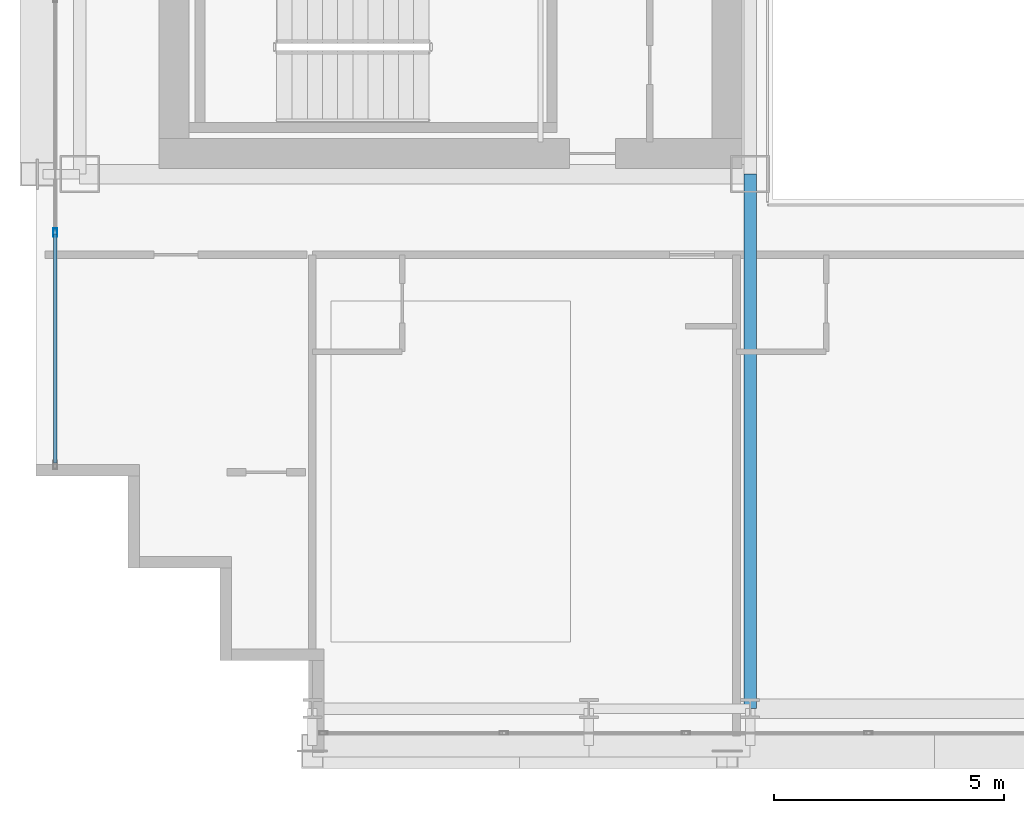
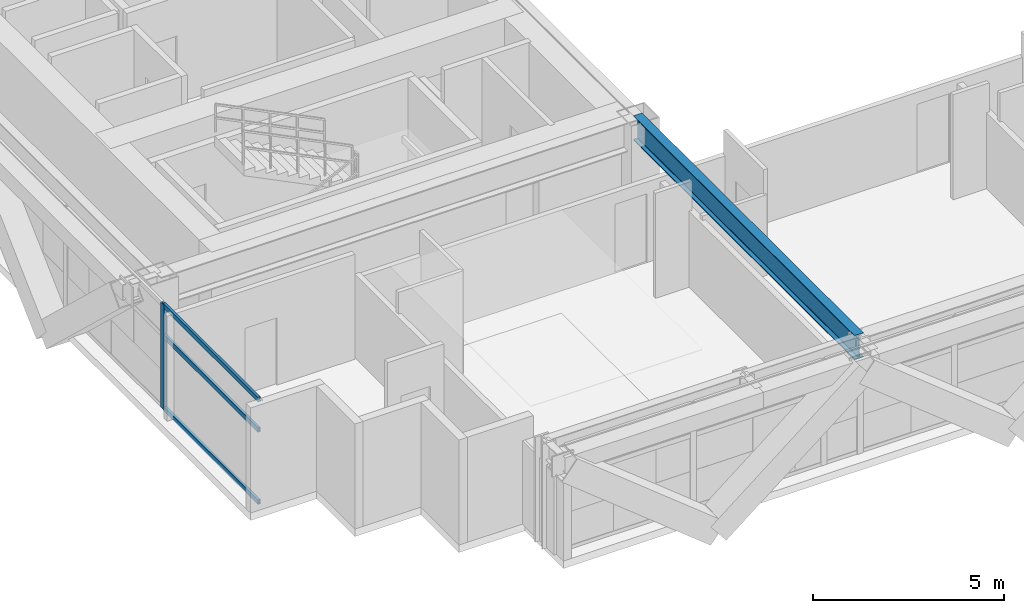
# One storey, part 3 of 35: 4 members, 1 beam, 1 element without a shape of its own.
"""IFC4 building model written with IfcOpenShell, lengths in metres."""

from ifc_helpers import new_model, si_unit, direction, frame, origin, origin_2d, place, context, subcontext, project, spatial, hollow_rectangle, i_section, extrude, source, transform, mapped, material, layer, layer_set, material_profile, profile_set, type_object, element, aggregate, save


model = new_model("IFC4")

# Units and contexts
model_context = context("Model", 3, precision=1e-05, world=origin(), true_north=direction((0.0, 1.0)))
body_context = subcontext(model_context, "Body", "Model", "MODEL_VIEW")
ifc_project = project(units=[si_unit("LENGTHUNIT", "METRE"), si_unit("AREAUNIT", "SQUARE_METRE"), si_unit("VOLUMEUNIT", "CUBIC_METRE"), si_unit("PLANEANGLEUNIT", "RADIAN"), si_unit("MASSUNIT", "GRAM", prefix="KILO")], contexts=[model_context])

# Site, building, storey
site_placement = place(None, origin())
site = spatial("IfcSite", under=ifc_project, at=site_placement, CompositionType="ELEMENT")
building_placement = place(site_placement, origin())
building = spatial("IfcBuilding", under=site, at=building_placement, Name="Ocotamira Hotel", CompositionType="ELEMENT")
storey_placement = place(building_placement, frame((0.0, 0.0, 115.199951171875)))
storey = spatial("IfcBuildingStorey", under=building, at=storey_placement, Name="L28", CompositionType="ELEMENT", Elevation=115.199951171875)

# Beam
ifc_material_1 = material(Name="Steel ASTM A992 Grade 50", Category="steel")
ifc_material_profile_1 = material_profile(ifc_material_1, i_section(OverallWidth=0.26611328125, OverallDepth=0.779052734375, WebThickness=0.0166015625, FlangeThickness=0.030029296875, FilletRadius=0.01806640625, at=origin_2d()), Name="W30X148")
ifc_profile_set_1 = profile_set([ifc_material_profile_1], Name="Steel ASTM A992 Grade 50")
beam_type = type_object("IfcBeamType", Name="BM-GIRD-W30X148", PredefinedType="BEAM", material=ifc_profile_set_1)
shared_shape_1 = source(origin(), body_context, "Body", "SweptSolid", [
    extrude(i_section(OverallWidth=0.26611328125, OverallDepth=0.779052734375, WebThickness=0.0166015625, FlangeThickness=0.030029296875, FilletRadius=0.01806640625, at=origin_2d()), origin(), (0.0, 0.0, 1.0), 11.60009765625),
])
beam_placement = place(storey_placement, frame((23.5, 2.949951171875, 2.970458984375), z_axis=(0.0, 1.0, 0.0), x_axis=(-1.0, 0.0, 0.0)))
element("IfcBeam", 1, at=beam_placement, inside=storey, type_object=beam_type, Name="L28 Beam X23.5 Y2.95-14.55", PredefinedType="BEAM", context=body_context, shape_type="MappedRepresentation", body=[
    mapped(shared_shape_1, transform((0.0, 0.0, 0.0), scale=1.0)),
])

# Curtain wall, members
ifc_material_2 = material(Name="Anodised pale-metal aluminium and solar glass", Category="aluminium")
ifc_layer = layer(ifc_material_2, 0.179931640625)
ifc_layer_set = layer_set([ifc_layer], Name="Anodised pale-metal aluminium and solar glass")
curtain_wall_type = type_object("IfcCurtainWallType", Name="CW-SYS3-Z2", PredefinedType="NOTDEFINED", material=ifc_layer_set)
curtain_wall_placement = place(storey_placement, origin())
curtain_wall = element("IfcCurtainWall", 2, at=curtain_wall_placement, inside=storey, type_object=curtain_wall_type, Name="L28 Curtain Wall CW-3 CW-L28-W", PredefinedType="NOTDEFINED")
ifc_material_3 = material(Name="Anodised pale-metal aluminium 6063-T6", Category="aluminium")
ifc_material_profile_2 = material_profile(ifc_material_3, hollow_rectangle(XDim=0.074951171875, YDim=0.14990234375, WallThickness=0.006103515625, at=origin_2d()), Name="HSS150X75X6")
ifc_profile_set_2 = profile_set([ifc_material_profile_2], Name="Anodised pale-metal aluminium 6063-T6")
member_type_1 = type_object("IfcMemberType", Name="CWT-150X75", PredefinedType="USERDEFINED", material=ifc_profile_set_2)
shared_shape_2 = source(origin(), body_context, "Body", "SweptSolid", [
    extrude(hollow_rectangle(XDim=0.074951171875, YDim=0.14990234375, WallThickness=0.006103515625, at=origin_2d()), origin(), (0.0, 0.0, 1.0), 4.965576171875),
])
member_1_placement = place(storey_placement, frame((8.419921875, 8.280029296875, 0.03759765625), z_axis=(0.0, 1.0, 0.0), x_axis=(-1.0, 0.0, 0.0)))
member_1 = element("IfcMember", 3, at=member_1_placement, type_object=member_type_1, Name="CW-3 transom 1.1", ObjectType="TRANSOM", PredefinedType="USERDEFINED", context=body_context, shape_type="MappedRepresentation", body=[
    mapped(shared_shape_2, transform((0.0, 0.0, 0.0), scale=1.0)),
])
member_2_placement = place(storey_placement, frame((8.419921875, 8.280029296875, 2.35009765625), z_axis=(0.0, 1.0, 0.0), x_axis=(-1.0, 0.0, 0.0)))
member_2 = element("IfcMember", 4, at=member_2_placement, type_object=member_type_1, Name="CW-3 transom 1.2", ObjectType="TRANSOM", PredefinedType="USERDEFINED", context=body_context, shape_type="MappedRepresentation", body=[
    mapped(shared_shape_2, transform((0.0, 0.0, 0.0), scale=1.0)),
])
member_3_placement = place(storey_placement, frame((8.419921875, 8.280029296875, 3.322509765625), z_axis=(0.0, 1.0, 0.0), x_axis=(-1.0, 0.0, 0.0)))
member_3 = element("IfcMember", 5, at=member_3_placement, type_object=member_type_1, Name="CW-3 transom 1.3", ObjectType="TRANSOM", PredefinedType="USERDEFINED", context=body_context, shape_type="MappedRepresentation", body=[
    mapped(shared_shape_2, transform((0.0, 0.0, 0.0), scale=1.0)),
])
ifc_material_profile_3 = material_profile(ifc_material_3, hollow_rectangle(XDim=0.080078125, YDim=0.179931640625, WallThickness=0.006103515625, at=origin_2d()), Name="HSS180X80X6")
ifc_profile_set_3 = profile_set([ifc_material_profile_3], Name="Anodised pale-metal aluminium 6063-T6")
member_type_2 = type_object("IfcMemberType", Name="CWM-180X75", PredefinedType="MULLION", material=ifc_profile_set_3)
shared_shape_3 = source(origin(), body_context, "Body", "SweptSolid", [
    extrude(hollow_rectangle(XDim=0.080078125, YDim=0.179931640625, WallThickness=0.006103515625, at=origin_2d()), origin(), (0.0, 0.0, 1.0), 3.360107421875),
])
member_4_placement = place(storey_placement, frame((8.419921875, 13.28564453125, 0.0), z_axis=(0.0, 0.0, 1.0), x_axis=(-1.0, 0.0, 0.0)))
member_4 = element("IfcMember", 6, at=member_4_placement, type_object=member_type_2, Name="CW-3 mullion 2", PredefinedType="MULLION", context=body_context, shape_type="MappedRepresentation", body=[
    mapped(shared_shape_3, transform((0.0, 0.0, 0.0), scale=1.0)),
])
aggregate(curtain_wall, [member_4, member_1, member_2, member_3])

save(model, "model.ifc")
